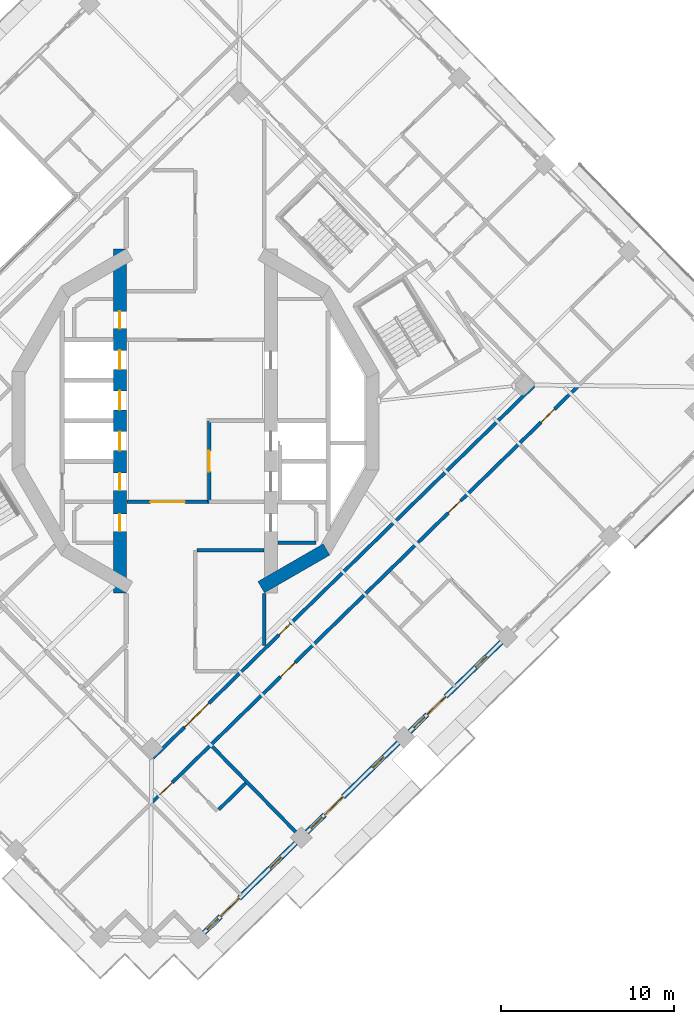
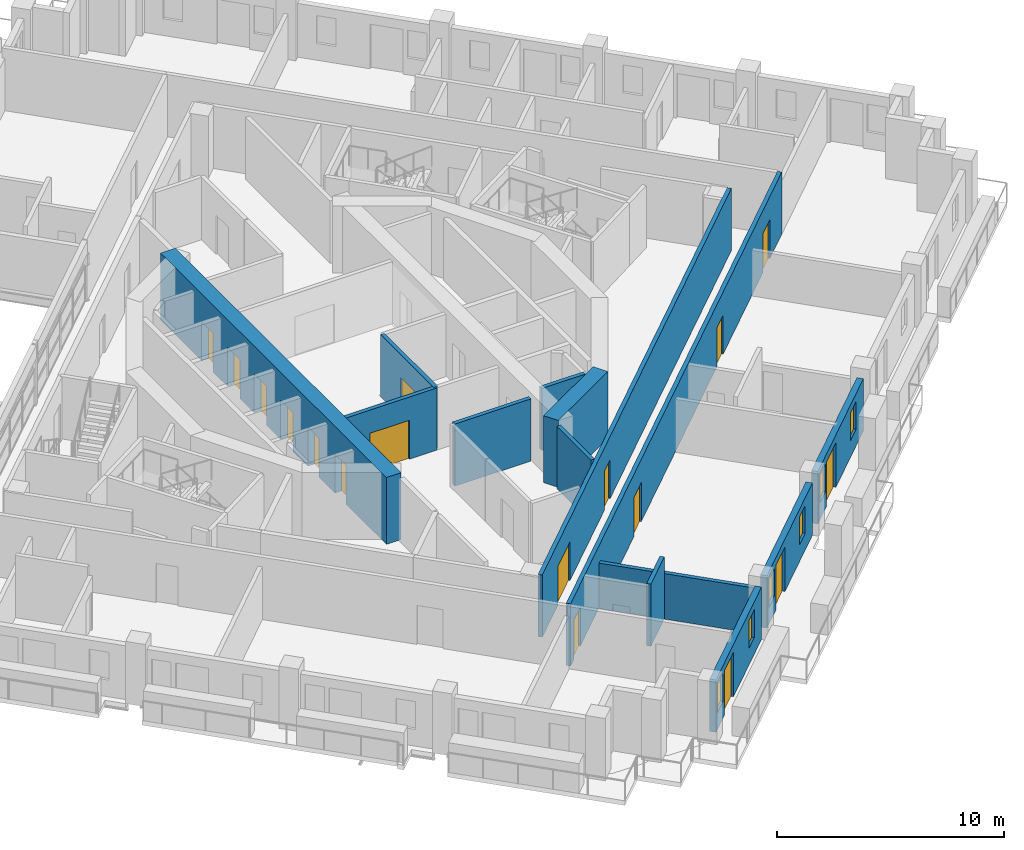
# One storey, part 9 of 21: 17 doors, 14 walls, 6 windows, 23 openings.
"""IFC4 building model written with IfcOpenShell, lengths in metres."""

from ifc_helpers import new_model, si_unit, direction, frame, frame_2d, origin, place, context, subcontext, project, spatial, rectangle, extrude, material, layer, layer_set, type_object, element, fill, save


model = new_model("IFC4")

# Units and contexts
model_context = context("Model", 3, precision=1e-05, world=origin(), true_north=direction((0.0, 1.0)))
body_context = subcontext(model_context, "Body", "Model", "MODEL_VIEW")
ifc_project = project(units=[si_unit("LENGTHUNIT", "METRE"), si_unit("AREAUNIT", "SQUARE_METRE"), si_unit("VOLUMEUNIT", "CUBIC_METRE"), si_unit("PLANEANGLEUNIT", "RADIAN"), si_unit("MASSUNIT", "GRAM", prefix="KILO")], contexts=[model_context])

# Site, building, storey
site_placement = place(None, origin())
site = spatial("IfcSite", under=ifc_project, at=site_placement, CompositionType="ELEMENT")
building_placement = place(site_placement, origin())
building = spatial("IfcBuilding", under=site, at=building_placement, Name="Cantera Rosa Tower", CompositionType="ELEMENT")
storey_placement = place(building_placement, frame((0.0, 0.0, 230.60009765625)))
storey = spatial("IfcBuildingStorey", under=building, at=storey_placement, Name="L50", CompositionType="ELEMENT", Elevation=230.60009765625)

# Wall, openings, doors
ifc_material_1 = material(Name="Gypsum board partition")
ifc_layer_1 = layer(ifc_material_1, 0.199951171875)
ifc_layer_set_1 = layer_set([ifc_layer_1], Name="CORRIDOR WALL 200 H3350")
wall_type_1 = type_object("IfcWallType", Name="CORRIDOR WALL 200 H3350", PredefinedType="PARTITIONING", material=ifc_layer_set_1)
wall_1_placement = place(storey_placement, frame((-2.469970703125, -22.0556640625, 0.0), z_axis=(0.0, 0.0, 1.0), x_axis=(0.715286619748, 0.698831203946, 0.0)))
wall_1 = element("IfcWall", 1, at=wall_1_placement, inside=storey, type_object=wall_type_1, Name="CORRIDOR WALL L50-054", PredefinedType="PARTITIONING", context=body_context, shape_type="SweptSolid", body=[
    extrude(rectangle(XDim=34.47998046875, YDim=0.199951171875, at=frame_2d((17.239990234375, 0.0))), origin(), (0.0, 0.0, 1.0), 3.349853515625),
])
opening_1_placement = place(wall_1_placement, frame((10.340087890625, 0.0, 0.0)))
opening_1 = element("IfcOpeningElement", 2, at=opening_1_placement, cuts=wall_1, Name="Opening L50-043", PredefinedType="OPENING", context=body_context, shape_type="SweptSolid", body=[
    extrude(rectangle(XDim=1.199951171875, YDim=2.10009765625, at=frame_2d((0.60009765625, 1.050048828125))), frame((0.0, 0.10986328125, 0.0), z_axis=(0.0, -1.0, 0.0), x_axis=(1.0, 0.0, 0.0)), (0.0, 0.0, 1.0), 0.219970703125),
])
opening_2_placement = place(wall_1_placement, frame((23.919921875, 0.0, 0.0)))
opening_2 = element("IfcOpeningElement", 3, at=opening_2_placement, cuts=wall_1, Name="Opening L50-044", PredefinedType="OPENING", context=body_context, shape_type="SweptSolid", body=[
    extrude(rectangle(XDim=1.0, YDim=2.10009765625, at=frame_2d((0.5, 1.050048828125))), frame((0.0, 0.10986328125, 0.0), z_axis=(0.0, -1.0, 0.0), x_axis=(1.0, 0.0, 0.0)), (0.0, 0.0, 1.0), 0.219970703125),
])
opening_3_placement = place(wall_1_placement, frame((0.590087890625, 0.0, 0.0)))
opening_3 = element("IfcOpeningElement", 4, at=opening_3_placement, cuts=wall_1, Name="Opening L50-047", PredefinedType="OPENING", context=body_context, shape_type="SweptSolid", body=[
    extrude(rectangle(XDim=1.0, YDim=2.10009765625, at=frame_2d((0.5, 1.050048828125))), frame((0.0, 0.10986328125, 0.0), z_axis=(0.0, -1.0, 0.0), x_axis=(1.0, 0.0, 0.0)), (0.0, 0.0, 1.0), 0.219970703125),
])
opening_4_placement = place(wall_1_placement, frame((31.429931640625, 0.0, 0.0)))
opening_4 = element("IfcOpeningElement", 5, at=opening_4_placement, cuts=wall_1, Name="Opening L50-050", PredefinedType="OPENING", context=body_context, shape_type="SweptSolid", body=[
    extrude(rectangle(XDim=1.10009765625, YDim=2.10009765625, at=frame_2d((0.550048828125, 1.050048828125))), frame((0.0, 0.10986328125, 0.0), z_axis=(0.0, -1.0, 0.0), x_axis=(1.0, 0.0, 0.0)), (0.0, 0.0, 1.0), 0.219970703125),
])
ifc_material_2 = material(Name="Timber door leaf", Category="wood")
door_type_1 = type_object("IfcDoorType", Name="ENTRANCE DOOR 1000x2100", OperationType="NOTDEFINED", PredefinedType="DOOR", material=ifc_material_2)
door_1_placement = place(opening_2_placement, origin())
door_1 = element("IfcDoor", 6, at=door_1_placement, inside=storey, type_object=door_type_1, Name="DOOR L50-044", OperationType="NOTDEFINED", OverallHeight=2.10009765625, OverallWidth=1.0, PredefinedType="DOOR", context=body_context, shape_type="SweptSolid", body=[
    extrude(rectangle(XDim=1.0, YDim=2.10009765625, at=frame_2d((0.5, 1.050048828125))), frame((0.0, 0.02490234375, 0.0), z_axis=(0.0, -1.0, 0.0), x_axis=(1.0, 0.0, 0.0)), (0.0, 0.0, 1.0), 0.050048828125),
])
fill(opening_2, door_1)
door_2_placement = place(opening_3_placement, origin())
door_2 = element("IfcDoor", 7, at=door_2_placement, inside=storey, type_object=door_type_1, Name="DOOR L50-047", OperationType="NOTDEFINED", OverallHeight=2.10009765625, OverallWidth=1.0, PredefinedType="DOOR", context=body_context, shape_type="SweptSolid", body=[
    extrude(rectangle(XDim=1.0, YDim=2.10009765625, at=frame_2d((0.5, 1.050048828125))), frame((0.0, 0.02490234375, 0.0), z_axis=(0.0, -1.0, 0.0), x_axis=(1.0, 0.0, 0.0)), (0.0, 0.0, 1.0), 0.050048828125),
])
fill(opening_3, door_2)
ifc_material_3 = material(Name="Timber door leaf", Category="wood")
door_type_2 = type_object("IfcDoorType", Name="ROOM DOOR 1100x2100", OperationType="NOTDEFINED", PredefinedType="DOOR", material=ifc_material_3)
door_3_placement = place(opening_4_placement, origin())
door_3 = element("IfcDoor", 8, at=door_3_placement, inside=storey, type_object=door_type_2, Name="DOOR L50-050", OperationType="NOTDEFINED", OverallHeight=2.10009765625, OverallWidth=1.10009765625, PredefinedType="DOOR", context=body_context, shape_type="SweptSolid", body=[
    extrude(rectangle(XDim=1.10009765625, YDim=2.10009765625, at=frame_2d((0.550048828125, 1.050048828125))), frame((0.0, 0.02490234375, 0.0), z_axis=(0.0, -1.0, 0.0), x_axis=(1.0, 0.0, 0.0)), (0.0, 0.0, 1.0), 0.050048828125),
])
fill(opening_4, door_3)
ifc_material_4 = material(Name="Timber door leaf", Category="wood")
door_type_3 = type_object("IfcDoorType", Name="ROOM DOOR 1200x2100", OperationType="NOTDEFINED", PredefinedType="DOOR", material=ifc_material_4)
door_4_placement = place(opening_1_placement, origin())
door_4 = element("IfcDoor", 9, at=door_4_placement, inside=storey, type_object=door_type_3, Name="DOOR L50-043", OperationType="NOTDEFINED", OverallHeight=2.10009765625, OverallWidth=1.199951171875, PredefinedType="DOOR", context=body_context, shape_type="SweptSolid", body=[
    extrude(rectangle(XDim=1.199951171875, YDim=2.10009765625, at=frame_2d((0.60009765625, 1.050048828125))), frame((0.0, 0.02490234375, 0.0), z_axis=(0.0, -1.0, 0.0), x_axis=(1.0, 0.0, 0.0)), (0.0, 0.0, 1.0), 0.050048828125),
])
fill(opening_1, door_4)

wall_2_placement = place(storey_placement, frame((-2.4404296875, -19.51025390625, 0.0), z_axis=(0.0, 0.0, 1.0), x_axis=(0.715289138653, 0.698828625719, 0.0)))
wall_2 = element("IfcWall", 10, at=wall_2_placement, inside=storey, type_object=wall_type_1, Name="CORRIDOR WALL L50-055", PredefinedType="PARTITIONING", context=body_context, shape_type="SweptSolid", body=[
    extrude(rectangle(XDim=30.880126953125, YDim=0.199951171875, at=frame_2d((15.43994140625, 0.0))), origin(), (0.0, 0.0, 1.0), 3.349853515625),
])
opening_5_placement = place(wall_2_placement, frame((10.1845703125, 0.0, 0.0)))
opening_5 = element("IfcOpeningElement", 11, at=opening_5_placement, cuts=wall_2, Name="Opening L50-012", PredefinedType="OPENING", context=body_context, shape_type="SweptSolid", body=[
    extrude(rectangle(XDim=0.89990234375, YDim=2.10009765625, at=frame_2d((0.449951171875, 1.050048828125))), frame((0.0, 0.10986328125, 0.0), z_axis=(0.0, -1.0, 0.0), x_axis=(1.0, 0.0, 0.0)), (0.0, 0.0, 1.0), 0.219970703125),
])
opening_6_placement = place(wall_2_placement, frame((2.52490234375, 0.0, 0.0)))
opening_6 = element("IfcOpeningElement", 12, at=opening_6_placement, cuts=wall_2, Name="Opening L50-015", PredefinedType="OPENING", context=body_context, shape_type="SweptSolid", body=[
    extrude(rectangle(XDim=2.0, YDim=2.10009765625, at=frame_2d((1.0, 1.050048828125))), frame((0.0, 0.10986328125, 0.0), z_axis=(0.0, -1.0, 0.0), x_axis=(1.0, 0.0, 0.0)), (0.0, 0.0, 1.0), 0.219970703125),
])
ifc_material_5 = material(Name="Steel S355J2 (EN 10025-2)", Category="steel")
door_type_4 = type_object("IfcDoorType", Name="LOBBY SCREEN DOOR 2000x2100", OperationType="NOTDEFINED", PredefinedType="DOOR", material=ifc_material_5)
door_5_placement = place(opening_6_placement, origin())
door_5 = element("IfcDoor", 13, at=door_5_placement, inside=storey, type_object=door_type_4, Name="DOOR L50-015", OperationType="NOTDEFINED", OverallHeight=2.10009765625, OverallWidth=2.0, PredefinedType="DOOR", context=body_context, shape_type="SweptSolid", body=[
    extrude(rectangle(XDim=2.0, YDim=2.10009765625, at=frame_2d((1.0, 1.050048828125))), frame((0.0, 0.02490234375, 0.0), z_axis=(0.0, -1.0, 0.0), x_axis=(1.0, 0.0, 0.0)), (0.0, 0.0, 1.0), 0.050048828125),
])
fill(opening_6, door_5)
ifc_material_6 = material(Name="Timber door leaf", Category="wood")
door_type_5 = type_object("IfcDoorType", Name="SERVICE DOOR 900x2100", OperationType="NOTDEFINED", PredefinedType="DOOR", material=ifc_material_6)
door_6_placement = place(opening_5_placement, origin())
door_6 = element("IfcDoor", 14, at=door_6_placement, inside=storey, type_object=door_type_5, Name="DOOR L50-012", OperationType="NOTDEFINED", OverallHeight=2.10009765625, OverallWidth=0.89990234375, PredefinedType="DOOR", context=body_context, shape_type="SweptSolid", body=[
    extrude(rectangle(XDim=0.89990234375, YDim=2.10009765625, at=frame_2d((0.449951171875, 1.050048828125))), frame((0.0, 0.02490234375, 0.0), z_axis=(0.0, -1.0, 0.0), x_axis=(1.0, 0.0, 0.0)), (0.0, 0.0, 1.0), 0.050048828125),
])
fill(opening_5, door_6)

# Wall, opening, door
wall_3_placement = place(storey_placement, frame((0.800048828125, -4.699951171875, 0.0), z_axis=(0.0, 0.0, 1.0), x_axis=(-1.0, 0.0, 0.0)))
wall_3 = element("IfcWall", 15, at=wall_3_placement, inside=storey, type_object=wall_type_1, Name="CORRIDOR WALL L50-062", PredefinedType="PARTITIONING", context=body_context, shape_type="SweptSolid", body=[
    extrude(rectangle(XDim=4.77001953125, YDim=0.199951171875, at=frame_2d((2.385009765625, 0.0))), origin(), (0.0, 0.0, 1.0), 3.349853515625),
])
opening_7_placement = place(wall_3_placement, frame((1.39990234375, 0.0, 0.0)))
opening_7 = element("IfcOpeningElement", 16, at=opening_7_placement, cuts=wall_3, Name="Opening L50-016", PredefinedType="OPENING", context=body_context, shape_type="SweptSolid", body=[
    extrude(rectangle(XDim=2.0, YDim=2.10009765625, at=frame_2d((1.0, 1.050048828125))), frame((0.0, 0.10986328125, 0.0), z_axis=(0.0, -1.0, 0.0), x_axis=(1.0, 0.0, 0.0)), (0.0, 0.0, 1.0), 0.219970703125),
])
door_7_placement = place(opening_7_placement, origin())
door_7 = element("IfcDoor", 17, at=door_7_placement, inside=storey, type_object=door_type_4, Name="DOOR L50-016", OperationType="NOTDEFINED", OverallHeight=2.10009765625, OverallWidth=2.0, PredefinedType="DOOR", context=body_context, shape_type="SweptSolid", body=[
    extrude(rectangle(XDim=2.0, YDim=2.10009765625, at=frame_2d((1.0, 1.050048828125))), frame((0.0, 0.02490234375, 0.0), z_axis=(0.0, -1.0, 0.0), x_axis=(1.0, 0.0, 0.0)), (0.0, 0.0, 1.0), 0.050048828125),
])
fill(opening_7, door_7)

# Wall
wall_4_placement = place(storey_placement, frame((3.969970703125, -7.5, 0.0), z_axis=(0.0, 0.0, 1.0), x_axis=(-1.0, 0.0, 0.0)))
element("IfcWall", 18, at=wall_4_placement, inside=storey, type_object=wall_type_1, Name="CORRIDOR WALL L50-072", PredefinedType="PARTITIONING", context=body_context, shape_type="SweptSolid", body=[
    extrude(rectangle(XDim=3.869873046875, YDim=0.199951171875, at=frame_2d((1.93505859375, 0.0))), origin(), (0.0, 0.0, 1.0), 3.349853515625),
])

# Wall, openings, windows, door
ifc_material_7 = material(Name="Hollow clay masonry with cantera stone cladding", Category="masonry")
ifc_layer_2 = layer(ifc_material_7, 0.300048828125)
ifc_layer_set_2 = layer_set([ifc_layer_2], Name="EW-LOGGIA 300 H2820")
wall_type_2 = type_object("IfcWallType", Name="EW-LOGGIA 300 H2820", PredefinedType="SOLIDWALL", material=ifc_layer_set_2)
wall_5_placement = place(storey_placement, frame((0.503662109375, -29.6357421875, 0.0), z_axis=(0.0, 0.0, 1.0), x_axis=(0.715284379566, 0.698833496871, 0.0)))
wall_5 = element("IfcWall", 19, at=wall_5_placement, inside=storey, type_object=wall_type_2, Name="EN-L50-W21", PredefinedType="SOLIDWALL", context=body_context, shape_type="SweptSolid", body=[
    extrude(rectangle(XDim=7.42041015625, YDim=0.300048828125, at=frame_2d((3.710205078125, 0.0))), origin(), (0.0, 0.0, 1.0), 2.81982421875),
])
opening_8_placement = place(wall_5_placement, frame((0.25, 0.0, 0.89990234375)))
opening_8 = element("IfcOpeningElement", 20, at=opening_8_placement, cuts=wall_5, Name="Opening L50-W37", PredefinedType="OPENING", context=body_context, shape_type="SweptSolid", body=[
    extrude(rectangle(XDim=0.89990234375, YDim=1.5, at=frame_2d((0.449951171875, 0.75))), frame((0.0, 0.159912109375, 0.0), z_axis=(0.0, -1.0, 0.0), x_axis=(1.0, 0.0, 0.0)), (0.0, 0.0, 1.0), 0.320068359375),
])
opening_9_placement = place(wall_5_placement, frame((1.35009765625, 0.0, 0.0)))
opening_9 = element("IfcOpeningElement", 21, at=opening_9_placement, cuts=wall_5, Name="Opening L50-TD38", PredefinedType="OPENING", context=body_context, shape_type="SweptSolid", body=[
    extrude(rectangle(XDim=1.5, YDim=2.39990234375, at=frame_2d((0.75, 1.199951171875))), frame((0.0, 0.159912109375, 0.0), z_axis=(0.0, -1.0, 0.0), x_axis=(1.0, 0.0, 0.0)), (0.0, 0.0, 1.0), 0.320068359375),
])
opening_10_placement = place(wall_5_placement, frame((5.340087890625, 0.0, 0.89990234375)))
opening_10 = element("IfcOpeningElement", 22, at=opening_10_placement, cuts=wall_5, Name="Opening L50-W39", PredefinedType="OPENING", context=body_context, shape_type="SweptSolid", body=[
    extrude(rectangle(XDim=0.89990234375, YDim=1.5, at=frame_2d((0.449951171875, 0.75))), frame((0.0, 0.159912109375, 0.0), z_axis=(0.0, -1.0, 0.0), x_axis=(1.0, 0.0, 0.0)), (0.0, 0.0, 1.0), 0.320068359375),
])
ifc_material_8 = material(Name="Aluminium frame with clear glass", Category="aluminium")
window_type = type_object("IfcWindowType", Name="Residential window 900x1500", PartitioningType="SINGLE_PANEL", PredefinedType="WINDOW", material=ifc_material_8)
window_1_placement = place(opening_8_placement, origin())
window_1 = element("IfcWindow", 23, at=window_1_placement, inside=storey, type_object=window_type, Name="WINDOW L50-W37", OverallHeight=1.5, OverallWidth=0.89990234375, PartitioningType="SINGLE_PANEL", PredefinedType="WINDOW", context=body_context, shape_type="SweptSolid", body=[
    extrude(rectangle(XDim=0.89990234375, YDim=1.5, at=frame_2d((0.449951171875, 0.75))), frame((0.0, 0.030029296875, 0.0), z_axis=(0.0, -1.0, 0.0), x_axis=(1.0, 0.0, 0.0)), (0.0, 0.0, 1.0), 0.06005859375),
])
fill(opening_8, window_1)
window_2_placement = place(opening_10_placement, origin())
window_2 = element("IfcWindow", 24, at=window_2_placement, inside=storey, type_object=window_type, Name="WINDOW L50-W39", OverallHeight=1.5, OverallWidth=0.89990234375, PartitioningType="SINGLE_PANEL", PredefinedType="WINDOW", context=body_context, shape_type="SweptSolid", body=[
    extrude(rectangle(XDim=0.89990234375, YDim=1.5, at=frame_2d((0.449951171875, 0.75))), frame((0.0, 0.030029296875, 0.0), z_axis=(0.0, -1.0, 0.0), x_axis=(1.0, 0.0, 0.0)), (0.0, 0.0, 1.0), 0.06005859375),
])
fill(opening_10, window_2)
ifc_material_9 = material(Name="Aluminium frame with clear glass", Category="aluminium")
door_type_6 = type_object("IfcDoorType", Name="TD-R 1500x2400", OperationType="NOTDEFINED", PredefinedType="DOOR", material=ifc_material_9)
door_8_placement = place(opening_9_placement, origin())
door_8 = element("IfcDoor", 25, at=door_8_placement, inside=storey, type_object=door_type_6, Name="LOGGIA DOOR L50-TD38", OperationType="SLIDING_TO_LEFT", OverallHeight=2.39990234375, OverallWidth=1.5, PredefinedType="DOOR", context=body_context, shape_type="SweptSolid", body=[
    extrude(rectangle(XDim=1.5, YDim=2.39990234375, at=frame_2d((0.75, 1.199951171875))), frame((0.0, 0.02490234375, 0.0), z_axis=(0.0, -1.0, 0.0), x_axis=(1.0, 0.0, 0.0)), (0.0, 0.0, 1.0), 0.050048828125),
])
fill(opening_9, door_8)

wall_6_placement = place(storey_placement, frame((6.454833984375, -23.8212890625, 0.0), z_axis=(0.0, 0.0, 1.0), x_axis=(0.715300826176, 0.698816662703, 0.0)))
wall_6 = element("IfcWall", 26, at=wall_6_placement, inside=storey, type_object=wall_type_2, Name="EN-L50-W22", PredefinedType="SOLIDWALL", context=body_context, shape_type="SweptSolid", body=[
    extrude(rectangle(XDim=7.420166015625, YDim=0.300048828125, at=frame_2d((3.7099609375, 0.0))), origin(), (0.0, 0.0, 1.0), 2.81982421875),
])
opening_11_placement = place(wall_6_placement, frame((0.330078125, 0.0, 0.89990234375)))
opening_11 = element("IfcOpeningElement", 27, at=opening_11_placement, cuts=wall_6, Name="Opening L50-W40", PredefinedType="OPENING", context=body_context, shape_type="SweptSolid", body=[
    extrude(rectangle(XDim=0.89990234375, YDim=1.5, at=frame_2d((0.449951171875, 0.75))), frame((0.0, 0.159912109375, 0.0), z_axis=(0.0, -1.0, 0.0), x_axis=(1.0, 0.0, 0.0)), (0.0, 0.0, 1.0), 0.320068359375),
])
opening_12_placement = place(wall_6_placement, frame((1.429931640625, 0.0, 0.0)))
opening_12 = element("IfcOpeningElement", 28, at=opening_12_placement, cuts=wall_6, Name="Opening L50-TD41", PredefinedType="OPENING", context=body_context, shape_type="SweptSolid", body=[
    extrude(rectangle(XDim=1.5, YDim=2.39990234375, at=frame_2d((0.75, 1.199951171875))), frame((0.0, 0.159912109375, 0.0), z_axis=(0.0, -1.0, 0.0), x_axis=(1.0, 0.0, 0.0)), (0.0, 0.0, 1.0), 0.320068359375),
])
opening_13_placement = place(wall_6_placement, frame((5.340087890625, 0.0, 0.89990234375)))
opening_13 = element("IfcOpeningElement", 29, at=opening_13_placement, cuts=wall_6, Name="Opening L50-W42", PredefinedType="OPENING", context=body_context, shape_type="SweptSolid", body=[
    extrude(rectangle(XDim=0.89990234375, YDim=1.5, at=frame_2d((0.449951171875, 0.75))), frame((0.0, 0.159912109375, 0.0), z_axis=(0.0, -1.0, 0.0), x_axis=(1.0, 0.0, 0.0)), (0.0, 0.0, 1.0), 0.320068359375),
])
window_3_placement = place(opening_11_placement, origin())
window_3 = element("IfcWindow", 30, at=window_3_placement, inside=storey, type_object=window_type, Name="WINDOW L50-W40", OverallHeight=1.5, OverallWidth=0.89990234375, PartitioningType="SINGLE_PANEL", PredefinedType="WINDOW", context=body_context, shape_type="SweptSolid", body=[
    extrude(rectangle(XDim=0.89990234375, YDim=1.5, at=frame_2d((0.449951171875, 0.75))), frame((0.0, 0.030029296875, 0.0), z_axis=(0.0, -1.0, 0.0), x_axis=(1.0, 0.0, 0.0)), (0.0, 0.0, 1.0), 0.06005859375),
])
fill(opening_11, window_3)
window_4_placement = place(opening_13_placement, origin())
window_4 = element("IfcWindow", 31, at=window_4_placement, inside=storey, type_object=window_type, Name="WINDOW L50-W42", OverallHeight=1.5, OverallWidth=0.89990234375, PartitioningType="SINGLE_PANEL", PredefinedType="WINDOW", context=body_context, shape_type="SweptSolid", body=[
    extrude(rectangle(XDim=0.89990234375, YDim=1.5, at=frame_2d((0.449951171875, 0.75))), frame((0.0, 0.030029296875, 0.0), z_axis=(0.0, -1.0, 0.0), x_axis=(1.0, 0.0, 0.0)), (0.0, 0.0, 1.0), 0.06005859375),
])
fill(opening_13, window_4)
door_9_placement = place(opening_12_placement, origin())
door_9 = element("IfcDoor", 32, at=door_9_placement, inside=storey, type_object=door_type_6, Name="LOGGIA DOOR L50-TD41", OperationType="SLIDING_TO_LEFT", OverallHeight=2.39990234375, OverallWidth=1.5, PredefinedType="DOOR", context=body_context, shape_type="SweptSolid", body=[
    extrude(rectangle(XDim=1.5, YDim=2.39990234375, at=frame_2d((0.75, 1.199951171875))), frame((0.0, 0.02490234375, 0.0), z_axis=(0.0, -1.0, 0.0), x_axis=(1.0, 0.0, 0.0)), (0.0, 0.0, 1.0), 0.050048828125),
])
fill(opening_12, door_9)

wall_7_placement = place(storey_placement, frame((12.406005859375, -18.007080078125, 0.0), z_axis=(0.0, 0.0, 1.0), x_axis=(0.715300826176, 0.698816662703, 0.0)))
wall_7 = element("IfcWall", 33, at=wall_7_placement, inside=storey, type_object=wall_type_2, Name="EN-L50-W23", PredefinedType="SOLIDWALL", context=body_context, shape_type="SweptSolid", body=[
    extrude(rectangle(XDim=7.420166015625, YDim=0.300048828125, at=frame_2d((3.7099609375, 0.0))), origin(), (0.0, 0.0, 1.0), 2.81982421875),
])
opening_14_placement = place(wall_7_placement, frame((0.330078125, 0.0, 0.89990234375)))
opening_14 = element("IfcOpeningElement", 34, at=opening_14_placement, cuts=wall_7, Name="Opening L50-W43", PredefinedType="OPENING", context=body_context, shape_type="SweptSolid", body=[
    extrude(rectangle(XDim=0.89990234375, YDim=1.5, at=frame_2d((0.449951171875, 0.75))), frame((0.0, 0.159912109375, 0.0), z_axis=(0.0, -1.0, 0.0), x_axis=(1.0, 0.0, 0.0)), (0.0, 0.0, 1.0), 0.320068359375),
])
opening_15_placement = place(wall_7_placement, frame((1.429931640625, 0.0, 0.0)))
opening_15 = element("IfcOpeningElement", 35, at=opening_15_placement, cuts=wall_7, Name="Opening L50-TD44", PredefinedType="OPENING", context=body_context, shape_type="SweptSolid", body=[
    extrude(rectangle(XDim=1.5, YDim=2.39990234375, at=frame_2d((0.75, 1.199951171875))), frame((0.0, 0.159912109375, 0.0), z_axis=(0.0, -1.0, 0.0), x_axis=(1.0, 0.0, 0.0)), (0.0, 0.0, 1.0), 0.320068359375),
])
opening_16_placement = place(wall_7_placement, frame((5.340087890625, 0.0, 0.89990234375)))
opening_16 = element("IfcOpeningElement", 36, at=opening_16_placement, cuts=wall_7, Name="Opening L50-W45", PredefinedType="OPENING", context=body_context, shape_type="SweptSolid", body=[
    extrude(rectangle(XDim=0.89990234375, YDim=1.5, at=frame_2d((0.449951171875, 0.75))), frame((0.0, 0.159912109375, 0.0), z_axis=(0.0, -1.0, 0.0), x_axis=(1.0, 0.0, 0.0)), (0.0, 0.0, 1.0), 0.320068359375),
])
window_5_placement = place(opening_14_placement, origin())
window_5 = element("IfcWindow", 37, at=window_5_placement, inside=storey, type_object=window_type, Name="WINDOW L50-W43", OverallHeight=1.5, OverallWidth=0.89990234375, PartitioningType="SINGLE_PANEL", PredefinedType="WINDOW", context=body_context, shape_type="SweptSolid", body=[
    extrude(rectangle(XDim=0.89990234375, YDim=1.5, at=frame_2d((0.449951171875, 0.75))), frame((0.0, 0.030029296875, 0.0), z_axis=(0.0, -1.0, 0.0), x_axis=(1.0, 0.0, 0.0)), (0.0, 0.0, 1.0), 0.06005859375),
])
fill(opening_14, window_5)
window_6_placement = place(opening_16_placement, origin())
window_6 = element("IfcWindow", 38, at=window_6_placement, inside=storey, type_object=window_type, Name="WINDOW L50-W45", OverallHeight=1.5, OverallWidth=0.89990234375, PartitioningType="SINGLE_PANEL", PredefinedType="WINDOW", context=body_context, shape_type="SweptSolid", body=[
    extrude(rectangle(XDim=0.89990234375, YDim=1.5, at=frame_2d((0.449951171875, 0.75))), frame((0.0, 0.030029296875, 0.0), z_axis=(0.0, -1.0, 0.0), x_axis=(1.0, 0.0, 0.0)), (0.0, 0.0, 1.0), 0.06005859375),
])
fill(opening_16, window_6)
door_10_placement = place(opening_15_placement, origin())
door_10 = element("IfcDoor", 39, at=door_10_placement, inside=storey, type_object=door_type_6, Name="LOGGIA DOOR L50-TD44", OperationType="SLIDING_TO_LEFT", OverallHeight=2.39990234375, OverallWidth=1.5, PredefinedType="DOOR", context=body_context, shape_type="SweptSolid", body=[
    extrude(rectangle(XDim=1.5, YDim=2.39990234375, at=frame_2d((0.75, 1.199951171875))), frame((0.0, 0.02490234375, 0.0), z_axis=(0.0, -1.0, 0.0), x_axis=(1.0, 0.0, 0.0)), (0.0, 0.0, 1.0), 0.050048828125),
])
fill(opening_15, door_10)

# Walls
ifc_material_10 = material(Name="Gypsum board partition")
ifc_layer_3 = layer(ifc_material_10, 0.199951171875)
ifc_layer_set_3 = layer_set([ifc_layer_3], Name="PARTITION 200 H3350")
wall_type_3 = type_object("IfcWallType", Name="PARTITION 200 H3350", PredefinedType="PARTITIONING", material=ifc_layer_set_3)
wall_8_placement = place(storey_placement, frame((2.916748046875, -20.98681640625, 0.0), z_axis=(0.0, 0.0, 1.0), x_axis=(-0.715234272025, -0.69888478029, 0.0)))
element("IfcWall", 40, at=wall_8_placement, inside=storey, type_object=wall_type_3, Name="PARTITION L50-071", PredefinedType="PARTITIONING", context=body_context, shape_type="SweptSolid", body=[
    extrude(rectangle(XDim=2.18017578125, YDim=0.199951171875, at=frame_2d((1.090087890625, 0.0))), origin(), (0.0, 0.0, 1.0), 3.349853515625),
])
wall_9_placement = place(storey_placement, frame((4.0, -12.998046875, 0.0), z_axis=(0.0, 0.0, 1.0), x_axis=(0.0, 1.0, 0.0)))
element("IfcWall", 41, at=wall_9_placement, inside=storey, type_object=wall_type_3, Name="PARTITION L50-074", PredefinedType="PARTITIONING", context=body_context, shape_type="SweptSolid", body=[
    extrude(rectangle(XDim=3.00390625, YDim=0.199951171875, at=frame_2d((1.501953125, 0.0))), origin(), (0.0, 0.0, 1.0), 3.349853515625),
])
wall_10_placement = place(storey_placement, frame((7.0, -7.050048828125, 0.0), z_axis=(0.0, 0.0, 1.0), x_axis=(-1.0, 0.0, 0.0)))
element("IfcWall", 42, at=wall_10_placement, inside=storey, type_object=wall_type_3, Name="PARTITION L50-084", PredefinedType="PARTITIONING", context=body_context, shape_type="SweptSolid", body=[
    extrude(rectangle(XDim=2.219970703125, YDim=0.199951171875, at=frame_2d((1.10986328125, 0.0))), origin(), (0.0, 0.0, 1.0), 3.349853515625),
])
ifc_material_11 = material(Name="Gypsum board partition")
ifc_layer_4 = layer(ifc_material_11, 0.199951171875)
ifc_layer_set_4 = layer_set([ifc_layer_4], Name="PARTY WALL 200 H2450")
wall_type_4 = type_object("IfcWallType", Name="PARTY WALL 200 H2450", PredefinedType="PARTITIONING", material=ifc_layer_set_4)
wall_11_placement = place(storey_placement, frame((6.112060546875, -24.114501953125, 0.0), z_axis=(0.0, 0.0, 1.0), x_axis=(-0.698821349183, 0.715296247667, 0.0)))
element("IfcWall", 43, at=wall_11_placement, inside=storey, type_object=wall_type_4, Name="PARTY WALL L50-081", PredefinedType="PARTITIONING", context=body_context, shape_type="SweptSolid", body=[
    extrude(rectangle(XDim=7.35009765625, YDim=0.199951171875, at=frame_2d((3.675048828125, 0.0))), origin(), (0.0, 0.0, 1.0), 2.449951171875),
])

# Wall, openings, doors
ifc_material_12 = material(Name="Concrete C60/75", Category="concrete")
ifc_layer_5 = layer(ifc_material_12, 0.75)
ifc_layer_set_5 = layer_set([ifc_layer_5], Name="RC CORE WALL 750 C60/75")
wall_type_5 = type_object("IfcWallType", Name="RC CORE WALL 750 C60/75", PredefinedType="SHEAR", material=ifc_layer_set_5)
wall_12_placement = place(storey_placement, frame((-4.375, 9.95947265625, 0.0), z_axis=(0.0, 0.0, 1.0), x_axis=(0.0, -1.0, 0.0)))
wall_12 = element("IfcWall", 44, at=wall_12_placement, inside=storey, type_object=wall_type_5, Name="CW-W6 L50", PredefinedType="SHEAR", context=body_context, shape_type="SweptSolid", body=[
    extrude(rectangle(XDim=19.9189453125, YDim=0.75, at=frame_2d((9.95947265625, 0.0))), origin(), (0.0, 0.0, 1.0), 3.599853515625),
])
opening_17_placement = place(wall_12_placement, frame((10.58447265625, 0.0, 0.0)))
opening_17 = element("IfcOpeningElement", 45, at=opening_17_placement, cuts=wall_12, Name="Opening LD-H1-L50", PredefinedType="OPENING", context=body_context, shape_type="SweptSolid", body=[
    extrude(rectangle(XDim=1.10009765625, YDim=2.10009765625, at=frame_2d((0.550048828125, 1.050048828125))), frame((0.0, 0.385009765625, 0.0), z_axis=(0.0, -1.0, 0.0), x_axis=(1.0, 0.0, 0.0)), (0.0, 0.0, 1.0), 0.77001953125),
])
opening_18_placement = place(wall_12_placement, frame((8.234619140625, 0.0, 0.0)))
opening_18 = element("IfcOpeningElement", 46, at=opening_18_placement, cuts=wall_12, Name="Opening LD-H2-L50", PredefinedType="OPENING", context=body_context, shape_type="SweptSolid", body=[
    extrude(rectangle(XDim=1.10009765625, YDim=2.10009765625, at=frame_2d((0.550048828125, 1.050048828125))), frame((0.0, 0.385009765625, 0.0), z_axis=(0.0, -1.0, 0.0), x_axis=(1.0, 0.0, 0.0)), (0.0, 0.0, 1.0), 0.77001953125),
])
opening_19_placement = place(wall_12_placement, frame((5.884521484375, 0.0, 0.0)))
opening_19 = element("IfcOpeningElement", 47, at=opening_19_placement, cuts=wall_12, Name="Opening LD-H3-L50", PredefinedType="OPENING", context=body_context, shape_type="SweptSolid", body=[
    extrude(rectangle(XDim=1.10009765625, YDim=2.10009765625, at=frame_2d((0.550048828125, 1.050048828125))), frame((0.0, 0.385009765625, 0.0), z_axis=(0.0, -1.0, 0.0), x_axis=(1.0, 0.0, 0.0)), (0.0, 0.0, 1.0), 0.77001953125),
])
opening_20_placement = place(wall_12_placement, frame((15.368408203125, 0.0, 0.0)))
opening_20 = element("IfcOpeningElement", 48, at=opening_20_placement, cuts=wall_12, Name="Opening SD-L50-20", PredefinedType="OPENING", context=body_context, shape_type="SweptSolid", body=[
    extrude(rectangle(XDim=1.0, YDim=2.10009765625, at=frame_2d((0.5, 1.050048828125))), frame((0.0, 0.385009765625, 0.0), z_axis=(0.0, -1.0, 0.0), x_axis=(1.0, 0.0, 0.0)), (0.0, 0.0, 1.0), 0.77001953125),
])
opening_21_placement = place(wall_12_placement, frame((3.618408203125, 0.0, 0.0)))
opening_21 = element("IfcOpeningElement", 49, at=opening_21_placement, cuts=wall_12, Name="Opening SD-L50-21", PredefinedType="OPENING", context=body_context, shape_type="SweptSolid", body=[
    extrude(rectangle(XDim=1.0, YDim=2.10009765625, at=frame_2d((0.5, 1.050048828125))), frame((0.0, 0.385009765625, 0.0), z_axis=(0.0, -1.0, 0.0), x_axis=(1.0, 0.0, 0.0)), (0.0, 0.0, 1.0), 0.77001953125),
])
opening_22_placement = place(wall_12_placement, frame((12.984619140625, 0.0, 0.0)))
opening_22 = element("IfcOpeningElement", 50, at=opening_22_placement, cuts=wall_12, Name="Opening SD-L50-22", PredefinedType="OPENING", context=body_context, shape_type="SweptSolid", body=[
    extrude(rectangle(XDim=1.0, YDim=2.10009765625, at=frame_2d((0.5, 1.050048828125))), frame((0.0, 0.385009765625, 0.0), z_axis=(0.0, -1.0, 0.0), x_axis=(1.0, 0.0, 0.0)), (0.0, 0.0, 1.0), 0.77001953125),
])
ifc_material_13 = material(Name="Steel S355J2 (EN 10025-2)", Category="steel")
door_type_7 = type_object("IfcDoorType", Name="LANDING DOOR 1100x2100", OperationType="NOTDEFINED", PredefinedType="DOOR", material=ifc_material_13)
door_11_placement = place(opening_17_placement, origin())
door_11 = element("IfcDoor", 51, at=door_11_placement, inside=storey, type_object=door_type_7, Name="LANDING DOOR H1 L50", OperationType="SLIDING_TO_LEFT", OverallHeight=2.10009765625, OverallWidth=1.10009765625, PredefinedType="DOOR", context=body_context, shape_type="SweptSolid", body=[
    extrude(rectangle(XDim=1.10009765625, YDim=2.10009765625, at=frame_2d((0.550048828125, 1.050048828125))), frame((0.0, 0.02490234375, 0.0), z_axis=(0.0, -1.0, 0.0), x_axis=(1.0, 0.0, 0.0)), (0.0, 0.0, 1.0), 0.050048828125),
])
fill(opening_17, door_11)
door_12_placement = place(opening_18_placement, origin())
door_12 = element("IfcDoor", 52, at=door_12_placement, inside=storey, type_object=door_type_7, Name="LANDING DOOR H2 L50", OperationType="SLIDING_TO_LEFT", OverallHeight=2.10009765625, OverallWidth=1.10009765625, PredefinedType="DOOR", context=body_context, shape_type="SweptSolid", body=[
    extrude(rectangle(XDim=1.10009765625, YDim=2.10009765625, at=frame_2d((0.550048828125, 1.050048828125))), frame((0.0, 0.02490234375, 0.0), z_axis=(0.0, -1.0, 0.0), x_axis=(1.0, 0.0, 0.0)), (0.0, 0.0, 1.0), 0.050048828125),
])
fill(opening_18, door_12)
door_13_placement = place(opening_19_placement, origin())
door_13 = element("IfcDoor", 53, at=door_13_placement, inside=storey, type_object=door_type_7, Name="LANDING DOOR H3 L50", OperationType="SLIDING_TO_LEFT", OverallHeight=2.10009765625, OverallWidth=1.10009765625, PredefinedType="DOOR", context=body_context, shape_type="SweptSolid", body=[
    extrude(rectangle(XDim=1.10009765625, YDim=2.10009765625, at=frame_2d((0.550048828125, 1.050048828125))), frame((0.0, 0.02490234375, 0.0), z_axis=(0.0, -1.0, 0.0), x_axis=(1.0, 0.0, 0.0)), (0.0, 0.0, 1.0), 0.050048828125),
])
fill(opening_19, door_13)
ifc_material_14 = material(Name="Timber door leaf", Category="wood")
door_type_8 = type_object("IfcDoorType", Name="SERVICE DOOR 1000x2100", OperationType="NOTDEFINED", PredefinedType="DOOR", material=ifc_material_14)
door_14_placement = place(opening_20_placement, origin())
door_14 = element("IfcDoor", 54, at=door_14_placement, inside=storey, type_object=door_type_8, Name="DOOR L50-SD20", OperationType="NOTDEFINED", OverallHeight=2.10009765625, OverallWidth=1.0, PredefinedType="DOOR", context=body_context, shape_type="SweptSolid", body=[
    extrude(rectangle(XDim=1.0, YDim=2.10009765625, at=frame_2d((0.5, 1.050048828125))), frame((0.0, 0.02490234375, 0.0), z_axis=(0.0, -1.0, 0.0), x_axis=(1.0, 0.0, 0.0)), (0.0, 0.0, 1.0), 0.050048828125),
])
fill(opening_20, door_14)
door_15_placement = place(opening_21_placement, origin())
door_15 = element("IfcDoor", 55, at=door_15_placement, inside=storey, type_object=door_type_8, Name="DOOR L50-SD21", OperationType="NOTDEFINED", OverallHeight=2.10009765625, OverallWidth=1.0, PredefinedType="DOOR", context=body_context, shape_type="SweptSolid", body=[
    extrude(rectangle(XDim=1.0, YDim=2.10009765625, at=frame_2d((0.5, 1.050048828125))), frame((0.0, 0.02490234375, 0.0), z_axis=(0.0, -1.0, 0.0), x_axis=(1.0, 0.0, 0.0)), (0.0, 0.0, 1.0), 0.050048828125),
])
fill(opening_21, door_15)
door_16_placement = place(opening_22_placement, origin())
door_16 = element("IfcDoor", 56, at=door_16_placement, inside=storey, type_object=door_type_8, Name="DOOR L50-SD22", OperationType="NOTDEFINED", OverallHeight=2.10009765625, OverallWidth=1.0, PredefinedType="DOOR", context=body_context, shape_type="SweptSolid", body=[
    extrude(rectangle(XDim=1.0, YDim=2.10009765625, at=frame_2d((0.5, 1.050048828125))), frame((0.0, 0.02490234375, 0.0), z_axis=(0.0, -1.0, 0.0), x_axis=(1.0, 0.0, 0.0)), (0.0, 0.0, 1.0), 0.050048828125),
])
fill(opening_22, door_16)

# Wall
wall_13_placement = place(storey_placement, frame((7.590576171875, -7.453369140625, 0.0), z_axis=(0.0, 0.0, 1.0), x_axis=(-0.866013176292, -0.50002117804, 0.0)))
element("IfcWall", 57, at=wall_13_placement, inside=storey, type_object=wall_type_5, Name="CW-E5 L50", PredefinedType="SHEAR", context=body_context, shape_type="SweptSolid", body=[
    extrude(rectangle(XDim=4.362548828125, YDim=0.75, at=frame_2d((2.18115234375, 0.0))), origin(), (0.0, 0.0, 1.0), 3.599853515625),
])

# Wall, opening, door
ifc_material_15 = material(Name="Concrete C50/60", Category="concrete")
ifc_layer_6 = layer(ifc_material_15, 0.199951171875)
ifc_layer_set_6 = layer_set([ifc_layer_6], Name="STAIR WALL 200 H3350")
wall_type_6 = type_object("IfcWallType", Name="STAIR WALL 200 H3350", PredefinedType="SOLIDWALL", material=ifc_layer_set_6)
wall_14_placement = place(storey_placement, frame((0.800048828125, -4.699951171875, 0.0), z_axis=(0.0, 0.0, 1.0), x_axis=(0.0, 1.0, 0.0)))
wall_14 = element("IfcWall", 58, at=wall_14_placement, inside=storey, type_object=wall_type_6, Name="STAIR WALL L50-063", PredefinedType="SOLIDWALL", context=body_context, shape_type="SweptSolid", body=[
    extrude(rectangle(XDim=4.699951171875, YDim=0.199951171875, at=frame_2d((2.35009765625, 0.0))), origin(), (0.0, 0.0, 1.0), 3.349853515625),
])
opening_23_placement = place(wall_14_placement, frame((1.75, 0.0, 0.0)))
opening_23 = element("IfcOpeningElement", 59, at=opening_23_placement, cuts=wall_14, Name="Opening L50-017", PredefinedType="OPENING", context=body_context, shape_type="SweptSolid", body=[
    extrude(rectangle(XDim=1.199951171875, YDim=2.10009765625, at=frame_2d((0.60009765625, 1.050048828125))), frame((0.0, 0.10986328125, 0.0), z_axis=(0.0, -1.0, 0.0), x_axis=(1.0, 0.0, 0.0)), (0.0, 0.0, 1.0), 0.219970703125),
])
ifc_material_16 = material(Name="Steel S355J2 (EN 10025-2)", Category="steel")
door_type_9 = type_object("IfcDoorType", Name="FIRE DOOR 1200x2100", OperationType="NOTDEFINED", PredefinedType="DOOR", material=ifc_material_16)
door_17_placement = place(opening_23_placement, origin())
door_17 = element("IfcDoor", 60, at=door_17_placement, inside=storey, type_object=door_type_9, Name="DOOR L50-017", OperationType="NOTDEFINED", OverallHeight=2.10009765625, OverallWidth=1.199951171875, PredefinedType="DOOR", context=body_context, shape_type="SweptSolid", body=[
    extrude(rectangle(XDim=1.199951171875, YDim=2.10009765625, at=frame_2d((0.60009765625, 1.050048828125))), frame((0.0, 0.02490234375, 0.0), z_axis=(0.0, -1.0, 0.0), x_axis=(1.0, 0.0, 0.0)), (0.0, 0.0, 1.0), 0.050048828125),
])
fill(opening_23, door_17)

save(model, "model.ifc")
